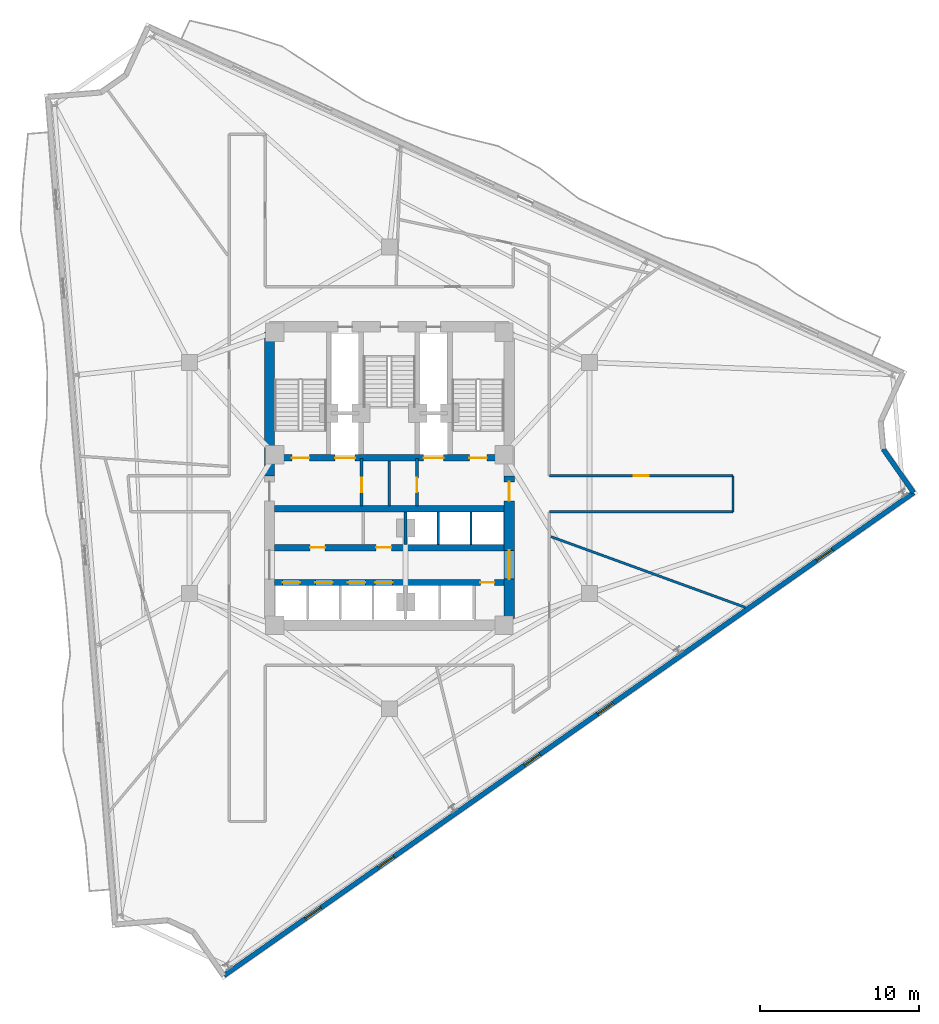
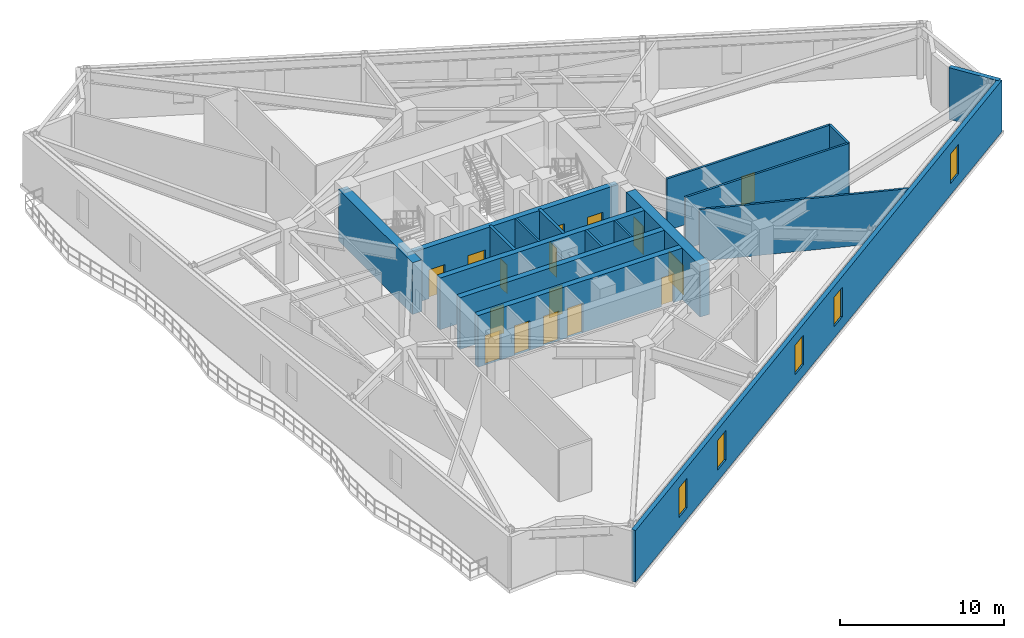
# One storey, part 5 of 10: 18 walls, 16 doors, 5 windows, 21 openings.
"""IFC4 building model written with IfcOpenShell, lengths in metres."""

from ifc_helpers import new_model, si_unit, direction, frame, frame_2d, origin, place, context, subcontext, project, spatial, rectangle, extrude, material, layer, layer_set, type_object, element, fill, save


model = new_model("IFC4")

# Units and contexts
model_context = context("Model", 3, precision=1e-05, world=origin(), true_north=direction((0.0, 1.0)))
body_context = subcontext(model_context, "Body", "Model", "MODEL_VIEW")
ifc_project = project(units=[si_unit("LENGTHUNIT", "METRE"), si_unit("AREAUNIT", "SQUARE_METRE"), si_unit("VOLUMEUNIT", "CUBIC_METRE"), si_unit("PLANEANGLEUNIT", "RADIAN"), si_unit("MASSUNIT", "GRAM", prefix="KILO")], contexts=[model_context])

# Site, building, storey
site_placement = place(None, origin())
site = spatial("IfcSite", under=ifc_project, at=site_placement, CompositionType="ELEMENT")
building_placement = place(site_placement, origin())
building = spatial("IfcBuilding", under=site, at=building_placement, Name="Apsidion Concourse Tower", CompositionType="ELEMENT")
storey_placement = place(building_placement, frame((0.0, 0.0, 202.39990234375)))
storey = spatial("IfcBuildingStorey", under=building, at=storey_placement, Name="L47", CompositionType="ELEMENT", Elevation=202.39990234375)

# Wall
ifc_material_1 = material(Name="Precast concrete C40/50", Category="concrete")
ifc_layer_1 = layer(ifc_material_1, 0.300048828125)
ifc_layer_set_1 = layer_set([ifc_layer_1], Name="Precast concrete C40/50")
wall_type_1 = type_object("IfcWallType", Name="WL-EXT-300", PredefinedType="STANDARD", material=ifc_layer_set_1)
wall_1_placement = place(storey_placement, frame((30.99951171875, 1.809814453125, 0.0), z_axis=(0.0, 0.0, 1.0), x_axis=(0.573550493689, -0.819170208925, 0.0)))
element("IfcWall", 1, at=wall_1_placement, inside=storey, type_object=wall_type_1, Name="L47 Precast Stone Facade Wall 04", PredefinedType="STANDARD", context=body_context, shape_type="SweptSolid", body=[
    extrude(rectangle(XDim=3.345703125, YDim=0.300048828125, at=frame_2d((1.6728515625, 0.0))), origin(), (0.0, 0.0, 1.0), 3.85009765625),
])

# Wall, openings, windows
wall_2_placement = place(storey_placement, frame((32.91845703125, -0.930908203125, 0.0), z_axis=(0.0, 0.0, 1.0), x_axis=(-0.819151415939, -0.573577333727, 0.0)))
wall_2 = element("IfcWall", 2, at=wall_2_placement, inside=storey, type_object=wall_type_1, Name="L47 Precast Stone Facade Wall 05", PredefinedType="STANDARD", context=body_context, shape_type="SweptSolid", body=[
    extrude(rectangle(XDim=52.862548828125, YDim=0.300048828125, at=frame_2d((26.43115234375, 0.0))), origin(), (0.0, 0.0, 1.0), 3.85009765625),
])
opening_1_placement = place(wall_2_placement, frame((6.231201171875, 0.0, 0.85009765625)))
opening_1 = element("IfcOpeningElement", 3, at=opening_1_placement, cuts=wall_2, Name="Opening WN-06", PredefinedType="OPENING", context=body_context, shape_type="SweptSolid", body=[
    extrude(rectangle(XDim=1.199951171875, YDim=2.199951171875, at=frame_2d((0.60009765625, 1.10009765625))), frame((0.0, 0.16015625, 0.0), z_axis=(0.0, -1.0, 0.0), x_axis=(1.0, 0.0, 0.0)), (0.0, 0.0, 1.0), 0.320068359375),
])
opening_2_placement = place(wall_2_placement, frame((23.03125, 0.0, 0.85009765625)))
opening_2 = element("IfcOpeningElement", 4, at=opening_2_placement, cuts=wall_2, Name="Opening WN-06", PredefinedType="OPENING", context=body_context, shape_type="SweptSolid", body=[
    extrude(rectangle(XDim=1.199951171875, YDim=2.199951171875, at=frame_2d((0.60009765625, 1.10009765625))), frame((0.0, 0.16015625, 0.0), z_axis=(0.0, -1.0, 0.0), x_axis=(1.0, 0.0, 0.0)), (0.0, 0.0, 1.0), 0.320068359375),
])
opening_3_placement = place(wall_2_placement, frame((28.63134765625, 0.0, 0.85009765625)))
opening_3 = element("IfcOpeningElement", 5, at=opening_3_placement, cuts=wall_2, Name="Opening WN-06", PredefinedType="OPENING", context=body_context, shape_type="SweptSolid", body=[
    extrude(rectangle(XDim=1.199951171875, YDim=2.199951171875, at=frame_2d((0.60009765625, 1.10009765625))), frame((0.0, 0.16015625, 0.0), z_axis=(0.0, -1.0, 0.0), x_axis=(1.0, 0.0, 0.0)), (0.0, 0.0, 1.0), 0.320068359375),
])
opening_4_placement = place(wall_2_placement, frame((39.831298828125, 0.0, 0.85009765625)))
opening_4 = element("IfcOpeningElement", 6, at=opening_4_placement, cuts=wall_2, Name="Opening WN-06", PredefinedType="OPENING", context=body_context, shape_type="SweptSolid", body=[
    extrude(rectangle(XDim=1.199951171875, YDim=2.199951171875, at=frame_2d((0.60009765625, 1.10009765625))), frame((0.0, 0.16015625, 0.0), z_axis=(0.0, -1.0, 0.0), x_axis=(1.0, 0.0, 0.0)), (0.0, 0.0, 1.0), 0.320068359375),
])
opening_5_placement = place(wall_2_placement, frame((45.431396484375, 0.0, 0.85009765625)))
opening_5 = element("IfcOpeningElement", 7, at=opening_5_placement, cuts=wall_2, Name="Opening WN-06", PredefinedType="OPENING", context=body_context, shape_type="SweptSolid", body=[
    extrude(rectangle(XDim=1.199951171875, YDim=2.199951171875, at=frame_2d((0.60009765625, 1.10009765625))), frame((0.0, 0.16015625, 0.0), z_axis=(0.0, -1.0, 0.0), x_axis=(1.0, 0.0, 0.0)), (0.0, 0.0, 1.0), 0.320068359375),
])
ifc_material_2 = material(Name="Insulated laminated low-E glass", Category="glass")
window_type = type_object("IfcWindowType", Name="WN-OFF-1224", PartitioningType="SINGLE_PANEL", PredefinedType="WINDOW", material=ifc_material_2)
window_1_placement = place(opening_1_placement, origin())
window_1 = element("IfcWindow", 8, at=window_1_placement, inside=storey, type_object=window_type, Name="L47 Punched Facade Window 5-01", OverallHeight=2.199951171875, OverallWidth=1.199951171875, PartitioningType="SINGLE_PANEL", PredefinedType="WINDOW", context=body_context, shape_type="SweptSolid", body=[
    extrude(rectangle(XDim=1.199951171875, YDim=2.199951171875, at=frame_2d((0.60009765625, 1.10009765625))), frame((0.0, 0.030029296875, 0.0), z_axis=(0.0, -1.0, 0.0), x_axis=(1.0, 0.0, 0.0)), (0.0, 0.0, 1.0), 0.06005859375),
])
fill(opening_1, window_1)
window_2_placement = place(opening_2_placement, origin())
window_2 = element("IfcWindow", 9, at=window_2_placement, inside=storey, type_object=window_type, Name="L47 Punched Facade Window 5-04", OverallHeight=2.199951171875, OverallWidth=1.199951171875, PartitioningType="SINGLE_PANEL", PredefinedType="WINDOW", context=body_context, shape_type="SweptSolid", body=[
    extrude(rectangle(XDim=1.199951171875, YDim=2.199951171875, at=frame_2d((0.60009765625, 1.10009765625))), frame((0.0, 0.030029296875, 0.0), z_axis=(0.0, -1.0, 0.0), x_axis=(1.0, 0.0, 0.0)), (0.0, 0.0, 1.0), 0.06005859375),
])
fill(opening_2, window_2)
window_3_placement = place(opening_3_placement, origin())
window_3 = element("IfcWindow", 10, at=window_3_placement, inside=storey, type_object=window_type, Name="L47 Punched Facade Window 5-05", OverallHeight=2.199951171875, OverallWidth=1.199951171875, PartitioningType="SINGLE_PANEL", PredefinedType="WINDOW", context=body_context, shape_type="SweptSolid", body=[
    extrude(rectangle(XDim=1.199951171875, YDim=2.199951171875, at=frame_2d((0.60009765625, 1.10009765625))), frame((0.0, 0.030029296875, 0.0), z_axis=(0.0, -1.0, 0.0), x_axis=(1.0, 0.0, 0.0)), (0.0, 0.0, 1.0), 0.06005859375),
])
fill(opening_3, window_3)
window_4_placement = place(opening_4_placement, origin())
window_4 = element("IfcWindow", 11, at=window_4_placement, inside=storey, type_object=window_type, Name="L47 Punched Facade Window 5-07", OverallHeight=2.199951171875, OverallWidth=1.199951171875, PartitioningType="SINGLE_PANEL", PredefinedType="WINDOW", context=body_context, shape_type="SweptSolid", body=[
    extrude(rectangle(XDim=1.199951171875, YDim=2.199951171875, at=frame_2d((0.60009765625, 1.10009765625))), frame((0.0, 0.030029296875, 0.0), z_axis=(0.0, -1.0, 0.0), x_axis=(1.0, 0.0, 0.0)), (0.0, 0.0, 1.0), 0.06005859375),
])
fill(opening_4, window_4)
window_5_placement = place(opening_5_placement, origin())
window_5 = element("IfcWindow", 12, at=window_5_placement, inside=storey, type_object=window_type, Name="L47 Punched Facade Window 5-08", OverallHeight=2.199951171875, OverallWidth=1.199951171875, PartitioningType="SINGLE_PANEL", PredefinedType="WINDOW", context=body_context, shape_type="SweptSolid", body=[
    extrude(rectangle(XDim=1.199951171875, YDim=2.199951171875, at=frame_2d((0.60009765625, 1.10009765625))), frame((0.0, 0.030029296875, 0.0), z_axis=(0.0, -1.0, 0.0), x_axis=(1.0, 0.0, 0.0)), (0.0, 0.0, 1.0), 0.06005859375),
])
fill(opening_5, window_5)

# Walls
ifc_material_3 = material(Name="Gypsum plasterboard partition")
ifc_layer_2 = layer(ifc_material_3, 0.14990234375)
ifc_layer_set_2 = layer_set([ifc_layer_2], Name="Gypsum plasterboard partition")
wall_type_2 = type_object("IfcWallType", Name="WL-INT-PAR-150", PredefinedType="PARTITIONING", material=ifc_layer_set_2)
for number, where, z_axis, x_axis, name in (
    (13, (3.074951171875, -4.179931640625, 0.0), (0.0, 0.0, 1.0), (0.0, 1.0, 0.0), "L47 Interior Partition WL-L47-B3DIV-1"),
    (14, (5.125, -4.179931640625, 0.0), (0.0, 0.0, 1.0), (0.0, 1.0, 0.0), "L47 Interior Partition WL-L47-B3DIV-2"),
):
    element("IfcWall", number, at=place(storey_placement, frame(where, z_axis=z_axis, x_axis=x_axis)), inside=storey, type_object=wall_type_2, Name=name, PredefinedType="PARTITIONING", context=body_context, shape_type="SweptSolid", body=[
        extrude(rectangle(XDim=2.030029296875, YDim=0.14990234375, at=frame_2d((1.01513671875, 0.0))), origin(), (0.0, 0.0, 1.0), 3.85009765625),
    ])
wall_3_placement = place(storey_placement, frame((0.0, -1.780029296875, 0.0), z_axis=(0.0, 0.0, 1.0), x_axis=(0.0, 1.0, 0.0)))
element("IfcWall", 15, at=wall_3_placement, inside=storey, type_object=wall_type_2, Name="L47 Interior Partition WL-L47-K3V", PredefinedType="PARTITIONING", context=body_context, shape_type="SweptSolid", body=[
    extrude(rectangle(XDim=2.830078125, YDim=0.14990234375, at=frame_2d((1.4150390625, 0.0))), origin(), (0.0, 0.0, 1.0), 3.85009765625),
])

# Wall, opening, door
wall_4_placement = place(storey_placement, frame((10.050048828125, 0.1298828125, 0.0), z_axis=(0.0, 0.0, 1.0), x_axis=(1.0, 0.0, 0.0)))
wall_4 = element("IfcWall", 16, at=wall_4_placement, inside=storey, type_object=wall_type_2, Name="L47 Interior Partition WL-L47-CORR-17", PredefinedType="PARTITIONING", context=body_context, shape_type="SweptSolid", body=[
    extrude(rectangle(XDim=11.530029296875, YDim=0.14990234375, at=frame_2d((5.76513671875, 0.0))), origin(), (0.0, 0.0, 1.0), 3.85009765625),
])
opening_6_placement = place(wall_4_placement, frame((5.2900390625, 0.0, 0.0)))
opening_6 = element("IfcOpeningElement", 17, at=opening_6_placement, cuts=wall_4, Name="Opening D-01R", PredefinedType="OPENING", context=body_context, shape_type="SweptSolid", body=[
    extrude(rectangle(XDim=0.949951171875, YDim=2.14990234375, at=frame_2d((0.47509765625, 1.074951171875))), frame((0.0, 0.0849609375, 0.0), z_axis=(0.0, -1.0, 0.0), x_axis=(1.0, 0.0, 0.0)), (0.0, 0.0, 1.0), 0.169921875),
])
ifc_material_4 = material(Name="Brushed stainless steel 316", Category="steel")
door_type_1 = type_object("IfcDoorType", Name="DR-INT-D01R", OperationType="SINGLE_SWING_RIGHT", PredefinedType="DOOR", material=ifc_material_4)
door_1_placement = place(opening_6_placement, origin())
door_1 = element("IfcDoor", 18, at=door_1_placement, inside=storey, type_object=door_type_1, Name="L47 Corridor Entry Door 04", OperationType="SINGLE_SWING_RIGHT", OverallHeight=2.14990234375, OverallWidth=0.949951171875, PredefinedType="DOOR", context=body_context, shape_type="SweptSolid", body=[
    extrude(rectangle(XDim=0.949951171875, YDim=2.14990234375, at=frame_2d((0.47509765625, 1.074951171875))), frame((0.0, 0.02490234375, 0.0), z_axis=(0.0, -1.0, 0.0), x_axis=(1.0, 0.0, 0.0)), (0.0, 0.0, 1.0), 0.050048828125),
])
fill(opening_6, door_1)

# Walls
wall_5_placement = place(storey_placement, frame((21.580078125, 0.1298828125, 0.0), z_axis=(0.0, 0.0, 1.0), x_axis=(0.0, -1.0, 0.0)))
element("IfcWall", 19, at=wall_5_placement, inside=storey, type_object=wall_type_2, Name="L47 Interior Partition WL-L47-CORR-18", PredefinedType="PARTITIONING", context=body_context, shape_type="SweptSolid", body=[
    extrude(rectangle(XDim=2.259765625, YDim=0.14990234375, at=frame_2d((1.1298828125, 0.0))), origin(), (0.0, 0.0, 1.0), 3.85009765625),
])
wall_6_placement = place(storey_placement, frame((21.580078125, -2.1298828125, 0.0), z_axis=(0.0, 0.0, 1.0), x_axis=(-1.0, 0.0, 0.0)))
element("IfcWall", 20, at=wall_6_placement, inside=storey, type_object=wall_type_2, Name="L47 Interior Partition WL-L47-CORR-19", PredefinedType="PARTITIONING", context=body_context, shape_type="SweptSolid", body=[
    extrude(rectangle(XDim=11.530029296875, YDim=0.14990234375, at=frame_2d((5.76513671875, 0.0))), origin(), (0.0, 0.0, 1.0), 3.85009765625),
])
wall_7_placement = place(storey_placement, frame((10.155029296875, -3.696044921875, 0.0), z_axis=(0.0, 0.0, 1.0), x_axis=(0.939688978096, -0.342030151367, 0.0)))
element("IfcWall", 21, at=wall_7_placement, inside=storey, type_object=wall_type_2, Name="L47 Interior Partition WL-L47-RAD-07-1", PredefinedType="PARTITIONING", context=body_context, shape_type="SweptSolid", body=[
    extrude(rectangle(XDim=12.97265625, YDim=0.14990234375, at=frame_2d((6.486328125, 0.0))), origin(), (0.0, 0.0, 1.0), 3.85009765625),
])
ifc_layer_3 = layer(ifc_material_3, 0.179931640625)
ifc_layer_set_3 = layer_set([ifc_layer_3], Name="Gypsum plasterboard partition")
wall_type_3 = type_object("IfcWallType", Name="WL-INT-PAR-180", PredefinedType="PARTITIONING", material=ifc_layer_set_3)
wall_8_placement = place(storey_placement, frame((1.02490234375, -4.179931640625, 0.0), z_axis=(0.0, 0.0, 1.0), x_axis=(0.0, 1.0, 0.0)))
element("IfcWall", 22, at=wall_8_placement, inside=storey, type_object=wall_type_3, Name="L47 Interior Partition WL-L47-B1END", PredefinedType="PARTITIONING", context=body_context, shape_type="SweptSolid", body=[
    extrude(rectangle(XDim=2.030029296875, YDim=0.179931640625, at=frame_2d((1.01513671875, 0.0))), origin(), (0.0, 0.0, 1.0), 2.898193359375),
])

# Wall, opening, door
ifc_layer_4 = layer(ifc_material_3, 0.199951171875)
ifc_layer_set_4 = layer_set([ifc_layer_4], Name="Gypsum plasterboard partition")
wall_type_4 = type_object("IfcWallType", Name="WL-INT-PAR-200", PredefinedType="PARTITIONING", material=ifc_layer_set_4)
wall_9_placement = place(storey_placement, frame((-1.739990234375, -1.780029296875, 0.0), z_axis=(0.0, 0.0, 1.0), x_axis=(0.0, 1.0, 0.0)))
wall_9 = element("IfcWall", 23, at=wall_9_placement, inside=storey, type_object=wall_type_4, Name="L47 Interior Partition WL-L47-FF1-E", PredefinedType="PARTITIONING", context=body_context, shape_type="SweptSolid", body=[
    extrude(rectangle(XDim=2.97998046875, YDim=0.199951171875, at=frame_2d((1.489990234375, 0.0))), origin(), (0.0, 0.0, 1.0), 3.85009765625),
])
opening_7_placement = place(wall_9_placement, frame((0.889892578125, 0.0, 0.0)))
opening_7 = element("IfcOpeningElement", 24, at=opening_7_placement, cuts=wall_9, Name="Opening D-05R", PredefinedType="OPENING", context=body_context, shape_type="SweptSolid", body=[
    extrude(rectangle(XDim=0.8798828125, YDim=2.14990234375, at=frame_2d((0.43994140625, 1.074951171875))), frame((0.0, 0.10986328125, 0.0), z_axis=(0.0, -1.0, 0.0), x_axis=(1.0, 0.0, 0.0)), (0.0, 0.0, 1.0), 0.219970703125),
])
door_type_2 = type_object("IfcDoorType", Name="DR-INT-D05R", OperationType="SINGLE_SWING_RIGHT", PredefinedType="DOOR", material=ifc_material_4)
door_2_placement = place(opening_7_placement, origin())
door_2 = element("IfcDoor", 25, at=door_2_placement, inside=storey, type_object=door_type_2, Name="L47 Core Pantry Door", OperationType="SINGLE_SWING_RIGHT", OverallHeight=2.14990234375, OverallWidth=0.8798828125, PredefinedType="DOOR", context=body_context, shape_type="SweptSolid", body=[
    extrude(rectangle(XDim=0.8798828125, YDim=2.14990234375, at=frame_2d((0.43994140625, 1.074951171875))), frame((0.0, 0.02490234375, 0.0), z_axis=(0.0, -1.0, 0.0), x_axis=(1.0, 0.0, 0.0)), (0.0, 0.0, 1.0), 0.050048828125),
])
fill(opening_7, door_2)

wall_10_placement = place(storey_placement, frame((1.739990234375, -1.780029296875, 0.0), z_axis=(0.0, 0.0, 1.0), x_axis=(0.0, 1.0, 0.0)))
wall_10 = element("IfcWall", 26, at=wall_10_placement, inside=storey, type_object=wall_type_4, Name="L47 Interior Partition WL-L47-FF2-W", PredefinedType="PARTITIONING", context=body_context, shape_type="SweptSolid", body=[
    extrude(rectangle(XDim=2.97998046875, YDim=0.199951171875, at=frame_2d((1.489990234375, 0.0))), origin(), (0.0, 0.0, 1.0), 3.85009765625),
])
opening_8_placement = place(wall_10_placement, frame((0.889892578125, 0.0, 0.0)))
opening_8 = element("IfcOpeningElement", 27, at=opening_8_placement, cuts=wall_10, Name="Opening D-05L", PredefinedType="OPENING", context=body_context, shape_type="SweptSolid", body=[
    extrude(rectangle(XDim=0.8798828125, YDim=2.14990234375, at=frame_2d((0.43994140625, 1.074951171875))), frame((0.0, 0.10986328125, 0.0), z_axis=(0.0, -1.0, 0.0), x_axis=(1.0, 0.0, 0.0)), (0.0, 0.0, 1.0), 0.219970703125),
])
door_type_3 = type_object("IfcDoorType", Name="DR-INT-D05L", OperationType="SINGLE_SWING_LEFT", PredefinedType="DOOR", material=ifc_material_4)
door_3_placement = place(opening_8_placement, origin())
door_3 = element("IfcDoor", 28, at=door_3_placement, inside=storey, type_object=door_type_3, Name="L47 Core Electrical Door", OperationType="SINGLE_SWING_LEFT", OverallHeight=2.14990234375, OverallWidth=0.8798828125, PredefinedType="DOOR", context=body_context, shape_type="SweptSolid", body=[
    extrude(rectangle(XDim=0.8798828125, YDim=2.14990234375, at=frame_2d((0.43994140625, 1.074951171875))), frame((0.0, 0.02490234375, 0.0), z_axis=(0.0, -1.0, 0.0), x_axis=(1.0, 0.0, 0.0)), (0.0, 0.0, 1.0), 0.050048828125),
])
fill(opening_8, door_3)

# Wall, openings, doors
ifc_material_5 = material(Name="Concrete C50/60", Category="concrete")
ifc_layer_5 = layer(ifc_material_5, 0.39990234375)
ifc_layer_set_5 = layer_set([ifc_layer_5], Name="Concrete C50/60")
wall_type_5 = type_object("IfcWallType", Name="WL-SH-400", PredefinedType="SHEAR", material=ifc_layer_set_5)
wall_11_placement = place(storey_placement, frame((-7.199951171875, 1.25, 0.0), z_axis=(0.0, 0.0, 1.0), x_axis=(1.0, 0.0, 0.0)))
wall_11 = element("IfcWall", 29, at=wall_11_placement, inside=storey, type_object=wall_type_5, Name="L47 Central Core Shear Wall M1", PredefinedType="SHEAR", context=body_context, shape_type="SweptSolid", body=[
    extrude(rectangle(XDim=14.39990234375, YDim=0.39990234375, at=frame_2d((7.199951171875, 0.0))), origin(), (0.0, 0.0, 1.0), 3.85009765625),
])
opening_9_placement = place(wall_11_placement, frame((3.794921875, 0.0, 0.0)))
opening_9 = element("IfcOpeningElement", 30, at=opening_9_placement, cuts=wall_11, Name="Opening LD-FF", PredefinedType="OPENING", context=body_context, shape_type="SweptSolid", body=[
    extrude(rectangle(XDim=1.25, YDim=2.25, at=frame_2d((0.625, 1.125))), frame((0.0, 0.2099609375, 0.0), z_axis=(0.0, -1.0, 0.0), x_axis=(1.0, 0.0, 0.0)), (0.0, 0.0, 1.0), 0.419921875),
])
opening_10_placement = place(wall_11_placement, frame((9.35498046875, 0.0, 0.0)))
opening_10 = element("IfcOpeningElement", 31, at=opening_10_placement, cuts=wall_11, Name="Opening LD-FF", PredefinedType="OPENING", context=body_context, shape_type="SweptSolid", body=[
    extrude(rectangle(XDim=1.25, YDim=2.25, at=frame_2d((0.625, 1.125))), frame((0.0, 0.2099609375, 0.0), z_axis=(0.0, -1.0, 0.0), x_axis=(1.0, 0.0, 0.0)), (0.0, 0.0, 1.0), 0.419921875),
])
opening_11_placement = place(wall_11_placement, frame((1.074951171875, 0.0, 0.0)))
opening_11 = element("IfcOpeningElement", 32, at=opening_11_placement, cuts=wall_11, Name="Opening D-STL", PredefinedType="OPENING", context=body_context, shape_type="SweptSolid", body=[
    extrude(rectangle(XDim=1.10009765625, YDim=2.14990234375, at=frame_2d((0.550048828125, 1.074951171875))), frame((0.0, 0.2099609375, 0.0), z_axis=(0.0, -1.0, 0.0), x_axis=(1.0, 0.0, 0.0)), (0.0, 0.0, 1.0), 0.419921875),
])
opening_12_placement = place(wall_11_placement, frame((12.22509765625, 0.0, 0.0)))
opening_12 = element("IfcOpeningElement", 33, at=opening_12_placement, cuts=wall_11, Name="Opening D-STR", PredefinedType="OPENING", context=body_context, shape_type="SweptSolid", body=[
    extrude(rectangle(XDim=1.10009765625, YDim=2.14990234375, at=frame_2d((0.550048828125, 1.074951171875))), frame((0.0, 0.2099609375, 0.0), z_axis=(0.0, -1.0, 0.0), x_axis=(1.0, 0.0, 0.0)), (0.0, 0.0, 1.0), 0.419921875),
])
door_type_4 = type_object("IfcDoorType", Name="DR-INT-ST1L", OperationType="SINGLE_SWING_LEFT", PredefinedType="DOOR", material=ifc_material_4)
door_4_placement = place(opening_11_placement, origin())
door_4 = element("IfcDoor", 34, at=door_4_placement, inside=storey, type_object=door_type_4, Name="L47 Core Exit Stair ST1 Door", OperationType="SINGLE_SWING_LEFT", OverallHeight=2.14990234375, OverallWidth=1.10009765625, PredefinedType="DOOR", context=body_context, shape_type="SweptSolid", body=[
    extrude(rectangle(XDim=1.10009765625, YDim=2.14990234375, at=frame_2d((0.550048828125, 1.074951171875))), frame((0.0, 0.02490234375, 0.0), z_axis=(0.0, -1.0, 0.0), x_axis=(1.0, 0.0, 0.0)), (0.0, 0.0, 1.0), 0.050048828125),
])
fill(opening_11, door_4)
door_type_5 = type_object("IfcDoorType", Name="DR-INT-ST1R", OperationType="SINGLE_SWING_RIGHT", PredefinedType="DOOR", material=ifc_material_4)
door_5_placement = place(opening_12_placement, origin())
door_5 = element("IfcDoor", 35, at=door_5_placement, inside=storey, type_object=door_type_5, Name="L47 Core Exit Stair ST2 Door", OperationType="SINGLE_SWING_RIGHT", OverallHeight=2.14990234375, OverallWidth=1.10009765625, PredefinedType="DOOR", context=body_context, shape_type="SweptSolid", body=[
    extrude(rectangle(XDim=1.10009765625, YDim=2.14990234375, at=frame_2d((0.550048828125, 1.074951171875))), frame((0.0, 0.02490234375, 0.0), z_axis=(0.0, -1.0, 0.0), x_axis=(1.0, 0.0, 0.0)), (0.0, 0.0, 1.0), 0.050048828125),
])
fill(opening_12, door_5)
door_type_6 = type_object("IfcDoorType", Name="DR-LD-FSAE", OperationType="DOUBLE_DOOR_SLIDING", PredefinedType="DOOR", material=ifc_material_4)
door_6_placement = place(opening_9_placement, origin())
door_6 = element("IfcDoor", 36, at=door_6_placement, inside=storey, type_object=door_type_6, Name="L47 Lift Landing Door FF1", OperationType="DOUBLE_DOOR_SLIDING", OverallHeight=2.25, OverallWidth=1.25, PredefinedType="DOOR", context=body_context, shape_type="SweptSolid", body=[
    extrude(rectangle(XDim=1.25, YDim=2.25, at=frame_2d((0.625, 1.125))), frame((0.0, 0.02490234375, 0.0), z_axis=(0.0, -1.0, 0.0), x_axis=(1.0, 0.0, 0.0)), (0.0, 0.0, 1.0), 0.050048828125),
])
fill(opening_9, door_6)
door_7_placement = place(opening_10_placement, origin())
door_7 = element("IfcDoor", 37, at=door_7_placement, inside=storey, type_object=door_type_6, Name="L47 Lift Landing Door FF2", OperationType="DOUBLE_DOOR_SLIDING", OverallHeight=2.25, OverallWidth=1.25, PredefinedType="DOOR", context=body_context, shape_type="SweptSolid", body=[
    extrude(rectangle(XDim=1.25, YDim=2.25, at=frame_2d((0.625, 1.125))), frame((0.0, 0.02490234375, 0.0), z_axis=(0.0, -1.0, 0.0), x_axis=(1.0, 0.0, 0.0)), (0.0, 0.0, 1.0), 0.050048828125),
])
fill(opening_10, door_7)

# Wall
wall_12_placement = place(storey_placement, frame((-7.199951171875, -1.949951171875, 0.0), z_axis=(0.0, 0.0, 1.0), x_axis=(1.0, 0.0, 0.0)))
element("IfcWall", 38, at=wall_12_placement, inside=storey, type_object=wall_type_5, Name="L47 Central Core Shear Wall M2", PredefinedType="SHEAR", context=body_context, shape_type="SweptSolid", body=[
    extrude(rectangle(XDim=14.39990234375, YDim=0.39990234375, at=frame_2d((7.199951171875, 0.0))), origin(), (0.0, 0.0, 1.0), 3.85009765625),
])

# Wall, openings, doors
wall_13_placement = place(storey_placement, frame((-7.199951171875, -4.3798828125, 0.0), z_axis=(0.0, 0.0, 1.0), x_axis=(1.0, 0.0, 0.0)))
wall_13 = element("IfcWall", 39, at=wall_13_placement, inside=storey, type_object=wall_type_5, Name="L47 Central Core Shear Wall LA", PredefinedType="SHEAR", context=body_context, shape_type="SweptSolid", body=[
    extrude(rectangle(XDim=14.39990234375, YDim=0.39990234375, at=frame_2d((7.199951171875, 0.0))), origin(), (0.0, 0.0, 1.0), 3.85009765625),
])
opening_13_placement = place(wall_13_placement, frame((2.22509765625, 0.0, 0.0)))
opening_13 = element("IfcOpeningElement", 40, at=opening_13_placement, cuts=wall_13, Name="Opening D-04L", PredefinedType="OPENING", context=body_context, shape_type="SweptSolid", body=[
    extrude(rectangle(XDim=0.949951171875, YDim=2.14990234375, at=frame_2d((0.47509765625, 1.074951171875))), frame((0.0, 0.2099609375, 0.0), z_axis=(0.0, -1.0, 0.0), x_axis=(1.0, 0.0, 0.0)), (0.0, 0.0, 1.0), 0.419921875),
])
opening_14_placement = place(wall_13_placement, frame((6.375, 0.0, 0.0)))
opening_14 = element("IfcOpeningElement", 41, at=opening_14_placement, cuts=wall_13, Name="Opening D-04R", PredefinedType="OPENING", context=body_context, shape_type="SweptSolid", body=[
    extrude(rectangle(XDim=0.949951171875, YDim=2.14990234375, at=frame_2d((0.47509765625, 1.074951171875))), frame((0.0, 0.2099609375, 0.0), z_axis=(0.0, -1.0, 0.0), x_axis=(1.0, 0.0, 0.0)), (0.0, 0.0, 1.0), 0.419921875),
])
door_type_7 = type_object("IfcDoorType", Name="DR-INT-D04L", OperationType="SINGLE_SWING_LEFT", PredefinedType="DOOR", material=ifc_material_4)
door_8_placement = place(opening_13_placement, origin())
door_8 = element("IfcDoor", 42, at=door_8_placement, inside=storey, type_object=door_type_7, Name="L47 Tenant Records Archive Room Door", OperationType="SINGLE_SWING_LEFT", OverallHeight=2.14990234375, OverallWidth=0.949951171875, PredefinedType="DOOR", context=body_context, shape_type="SweptSolid", body=[
    extrude(rectangle(XDim=0.949951171875, YDim=2.14990234375, at=frame_2d((0.47509765625, 1.074951171875))), frame((0.0, 0.02490234375, 0.0), z_axis=(0.0, -1.0, 0.0), x_axis=(1.0, 0.0, 0.0)), (0.0, 0.0, 1.0), 0.050048828125),
])
fill(opening_13, door_8)
door_type_8 = type_object("IfcDoorType", Name="DR-INT-D04R", OperationType="SINGLE_SWING_RIGHT", PredefinedType="DOOR", material=ifc_material_4)
door_9_placement = place(opening_14_placement, origin())
door_9 = element("IfcDoor", 43, at=door_9_placement, inside=storey, type_object=door_type_8, Name="L47 Core Beverage Pantry Door", OperationType="SINGLE_SWING_RIGHT", OverallHeight=2.14990234375, OverallWidth=0.949951171875, PredefinedType="DOOR", context=body_context, shape_type="SweptSolid", body=[
    extrude(rectangle(XDim=0.949951171875, YDim=2.14990234375, at=frame_2d((0.47509765625, 1.074951171875))), frame((0.0, 0.02490234375, 0.0), z_axis=(0.0, -1.0, 0.0), x_axis=(1.0, 0.0, 0.0)), (0.0, 0.0, 1.0), 0.050048828125),
])
fill(opening_14, door_9)

wall_14_placement = place(storey_placement, frame((-7.199951171875, -6.570068359375, 0.0), z_axis=(0.0, 0.0, 1.0), x_axis=(1.0, 0.0, 0.0)))
wall_14 = element("IfcWall", 44, at=wall_14_placement, inside=storey, type_object=wall_type_5, Name="L47 Central Core Shear Wall LB", PredefinedType="SHEAR", context=body_context, shape_type="SweptSolid", body=[
    extrude(rectangle(XDim=14.39990234375, YDim=0.39990234375, at=frame_2d((7.199951171875, 0.0))), origin(), (0.0, 0.0, 1.0), 3.85009765625),
])
opening_15_placement = place(wall_14_placement, frame((0.5, 0.0, 0.0)))
opening_15 = element("IfcOpeningElement", 45, at=opening_15_placement, cuts=wall_14, Name="Opening LD-P1", PredefinedType="OPENING", context=body_context, shape_type="SweptSolid", body=[
    extrude(rectangle(XDim=1.10009765625, YDim=2.199951171875, at=frame_2d((0.550048828125, 1.10009765625))), frame((0.0, 0.2099609375, 0.0), z_axis=(0.0, -1.0, 0.0), x_axis=(1.0, 0.0, 0.0)), (0.0, 0.0, 1.0), 0.419921875),
])
opening_16_placement = place(wall_14_placement, frame((2.550048828125, 0.0, 0.0)))
opening_16 = element("IfcOpeningElement", 46, at=opening_16_placement, cuts=wall_14, Name="Opening LD-P1", PredefinedType="OPENING", context=body_context, shape_type="SweptSolid", body=[
    extrude(rectangle(XDim=1.10009765625, YDim=2.199951171875, at=frame_2d((0.550048828125, 1.10009765625))), frame((0.0, 0.2099609375, 0.0), z_axis=(0.0, -1.0, 0.0), x_axis=(1.0, 0.0, 0.0)), (0.0, 0.0, 1.0), 0.419921875),
])
opening_17_placement = place(wall_14_placement, frame((4.60009765625, 0.0, 0.0)))
opening_17 = element("IfcOpeningElement", 47, at=opening_17_placement, cuts=wall_14, Name="Opening LD-P1", PredefinedType="OPENING", context=body_context, shape_type="SweptSolid", body=[
    extrude(rectangle(XDim=1.10009765625, YDim=2.199951171875, at=frame_2d((0.550048828125, 1.10009765625))), frame((0.0, 0.2099609375, 0.0), z_axis=(0.0, -1.0, 0.0), x_axis=(1.0, 0.0, 0.0)), (0.0, 0.0, 1.0), 0.419921875),
])
opening_18_placement = place(wall_14_placement, frame((6.300048828125, 0.0, 0.0)))
opening_18 = element("IfcOpeningElement", 48, at=opening_18_placement, cuts=wall_14, Name="Opening LD-P1", PredefinedType="OPENING", context=body_context, shape_type="SweptSolid", body=[
    extrude(rectangle(XDim=1.10009765625, YDim=2.199951171875, at=frame_2d((0.550048828125, 1.10009765625))), frame((0.0, 0.2099609375, 0.0), z_axis=(0.0, -1.0, 0.0), x_axis=(1.0, 0.0, 0.0)), (0.0, 0.0, 1.0), 0.419921875),
])
opening_19_placement = place(wall_14_placement, frame((12.909912109375, 0.0, 0.0)))
opening_19 = element("IfcOpeningElement", 49, at=opening_19_placement, cuts=wall_14, Name="Opening D-05L", PredefinedType="OPENING", context=body_context, shape_type="SweptSolid", body=[
    extrude(rectangle(XDim=0.8798828125, YDim=2.14990234375, at=frame_2d((0.43994140625, 1.074951171875))), frame((0.0, 0.2099609375, 0.0), z_axis=(0.0, -1.0, 0.0), x_axis=(1.0, 0.0, 0.0)), (0.0, 0.0, 1.0), 0.419921875),
])
door_10_placement = place(opening_19_placement, origin())
door_10 = element("IfcDoor", 50, at=door_10_placement, inside=storey, type_object=door_type_3, Name="L47 Cleaners Store Door", OperationType="SINGLE_SWING_LEFT", OverallHeight=2.14990234375, OverallWidth=0.8798828125, PredefinedType="DOOR", context=body_context, shape_type="SweptSolid", body=[
    extrude(rectangle(XDim=0.8798828125, YDim=2.14990234375, at=frame_2d((0.43994140625, 1.074951171875))), frame((0.0, 0.02490234375, 0.0), z_axis=(0.0, -1.0, 0.0), x_axis=(1.0, 0.0, 0.0)), (0.0, 0.0, 1.0), 0.050048828125),
])
fill(opening_19, door_10)
door_type_9 = type_object("IfcDoorType", Name="DR-LD-PASS", OperationType="DOUBLE_DOOR_SLIDING", PredefinedType="DOOR", material=ifc_material_4)
door_11_placement = place(opening_15_placement, origin())
door_11 = element("IfcDoor", 51, at=door_11_placement, inside=storey, type_object=door_type_9, Name="L47 Lift Landing Door P5", OperationType="DOUBLE_DOOR_SLIDING", OverallHeight=2.199951171875, OverallWidth=1.10009765625, PredefinedType="DOOR", context=body_context, shape_type="SweptSolid", body=[
    extrude(rectangle(XDim=1.10009765625, YDim=2.199951171875, at=frame_2d((0.550048828125, 1.10009765625))), frame((0.0, 0.02490234375, 0.0), z_axis=(0.0, -1.0, 0.0), x_axis=(1.0, 0.0, 0.0)), (0.0, 0.0, 1.0), 0.050048828125),
])
fill(opening_15, door_11)
door_12_placement = place(opening_16_placement, origin())
door_12 = element("IfcDoor", 52, at=door_12_placement, inside=storey, type_object=door_type_9, Name="L47 Lift Landing Door P6", OperationType="DOUBLE_DOOR_SLIDING", OverallHeight=2.199951171875, OverallWidth=1.10009765625, PredefinedType="DOOR", context=body_context, shape_type="SweptSolid", body=[
    extrude(rectangle(XDim=1.10009765625, YDim=2.199951171875, at=frame_2d((0.550048828125, 1.10009765625))), frame((0.0, 0.02490234375, 0.0), z_axis=(0.0, -1.0, 0.0), x_axis=(1.0, 0.0, 0.0)), (0.0, 0.0, 1.0), 0.050048828125),
])
fill(opening_16, door_12)
door_13_placement = place(opening_17_placement, origin())
door_13 = element("IfcDoor", 53, at=door_13_placement, inside=storey, type_object=door_type_9, Name="L47 Lift Landing Door P7", OperationType="DOUBLE_DOOR_SLIDING", OverallHeight=2.199951171875, OverallWidth=1.10009765625, PredefinedType="DOOR", context=body_context, shape_type="SweptSolid", body=[
    extrude(rectangle(XDim=1.10009765625, YDim=2.199951171875, at=frame_2d((0.550048828125, 1.10009765625))), frame((0.0, 0.02490234375, 0.0), z_axis=(0.0, -1.0, 0.0), x_axis=(1.0, 0.0, 0.0)), (0.0, 0.0, 1.0), 0.050048828125),
])
fill(opening_17, door_13)
door_14_placement = place(opening_18_placement, origin())
door_14 = element("IfcDoor", 54, at=door_14_placement, inside=storey, type_object=door_type_9, Name="L47 Lift Landing Door P8", OperationType="DOUBLE_DOOR_SLIDING", OverallHeight=2.199951171875, OverallWidth=1.10009765625, PredefinedType="DOOR", context=body_context, shape_type="SweptSolid", body=[
    extrude(rectangle(XDim=1.10009765625, YDim=2.199951171875, at=frame_2d((0.550048828125, 1.10009765625))), frame((0.0, 0.02490234375, 0.0), z_axis=(0.0, -1.0, 0.0), x_axis=(1.0, 0.0, 0.0)), (0.0, 0.0, 1.0), 0.050048828125),
])
fill(opening_18, door_14)

# Wall
ifc_layer_6 = layer(ifc_material_5, 0.64990234375)
ifc_layer_set_6 = layer_set([ifc_layer_6], Name="Concrete C50/60")
wall_type_6 = type_object("IfcWallType", Name="WL-SH-650", PredefinedType="SHEAR", material=ifc_layer_set_6)
wall_15_placement = place(storey_placement, frame((-7.52490234375, 0.10009765625, 0.0), z_axis=(0.0, 0.0, 1.0), x_axis=(0.0, 1.0, 0.0)))
element("IfcWall", 55, at=wall_15_placement, inside=storey, type_object=wall_type_6, Name="L47 Central Core Shear Wall WN", PredefinedType="SHEAR", context=body_context, shape_type="SweptSolid", body=[
    extrude(rectangle(XDim=9.0498046875, YDim=0.64990234375, at=frame_2d((4.52490234375, 0.0))), origin(), (0.0, 0.0, 1.0), 3.85009765625),
])

# Wall, openings, doors
wall_16_placement = place(storey_placement, frame((7.52490234375, -8.925048828125, 0.0), z_axis=(0.0, 0.0, 1.0), x_axis=(0.0, 1.0, 0.0)))
wall_16 = element("IfcWall", 56, at=wall_16_placement, inside=storey, type_object=wall_type_6, Name="L47 Central Core Shear Wall ES", PredefinedType="SHEAR", context=body_context, shape_type="SweptSolid", body=[
    extrude(rectangle(XDim=9.025146484375, YDim=0.64990234375, at=frame_2d((4.5126953125, 0.0))), origin(), (0.0, 0.0, 1.0), 3.85009765625),
])
opening_20_placement = place(wall_16_placement, frame((2.56494140625, 0.0, 0.0)))
opening_20 = element("IfcOpeningElement", 57, at=opening_20_placement, cuts=wall_16, Name="Opening D-06D", PredefinedType="OPENING", context=body_context, shape_type="SweptSolid", body=[
    extrude(rectangle(XDim=1.800048828125, YDim=2.199951171875, at=frame_2d((0.89990234375, 1.10009765625))), frame((0.0, 0.3349609375, 0.0), z_axis=(0.0, -1.0, 0.0), x_axis=(1.0, 0.0, 0.0)), (0.0, 0.0, 1.0), 0.669921875),
])
opening_21_placement = place(wall_16_placement, frame((7.47509765625, 0.0, 0.0)))
opening_21 = element("IfcOpeningElement", 58, at=opening_21_placement, cuts=wall_16, Name="Opening D-FFR", PredefinedType="OPENING", context=body_context, shape_type="SweptSolid", body=[
    extrude(rectangle(XDim=1.199951171875, YDim=2.14990234375, at=frame_2d((0.60009765625, 1.074951171875))), frame((0.0, 0.3349609375, 0.0), z_axis=(0.0, -1.0, 0.0), x_axis=(1.0, 0.0, 0.0)), (0.0, 0.0, 1.0), 0.669921875),
])
door_type_10 = type_object("IfcDoorType", Name="DR-INT-D06D", OperationType="DOUBLE_DOOR_SINGLE_SWING", PredefinedType="DOOR", material=ifc_material_4)
door_15_placement = place(opening_20_placement, origin())
door_15 = element("IfcDoor", 59, at=door_15_placement, inside=storey, type_object=door_type_10, Name="L47 Passenger Lift Lobby ES Portal Door", OperationType="DOUBLE_DOOR_SINGLE_SWING", OverallHeight=2.199951171875, OverallWidth=1.800048828125, PredefinedType="DOOR", context=body_context, shape_type="SweptSolid", body=[
    extrude(rectangle(XDim=1.800048828125, YDim=2.199951171875, at=frame_2d((0.89990234375, 1.10009765625))), frame((0.0, 0.02490234375, 0.0), z_axis=(0.0, -1.0, 0.0), x_axis=(1.0, 0.0, 0.0)), (0.0, 0.0, 1.0), 0.050048828125),
])
fill(opening_20, door_15)
door_type_11 = type_object("IfcDoorType", Name="DR-INT-FFR", OperationType="SINGLE_SWING_RIGHT", PredefinedType="DOOR", material=ifc_material_4)
door_16_placement = place(opening_21_placement, origin())
door_16 = element("IfcDoor", 60, at=door_16_placement, inside=storey, type_object=door_type_11, Name="L47 Firefighting Lift Lobby FF2 Door", OperationType="SINGLE_SWING_RIGHT", OverallHeight=2.14990234375, OverallWidth=1.199951171875, PredefinedType="DOOR", context=body_context, shape_type="SweptSolid", body=[
    extrude(rectangle(XDim=1.199951171875, YDim=2.14990234375, at=frame_2d((0.60009765625, 1.074951171875))), frame((0.0, 0.02490234375, 0.0), z_axis=(0.0, -1.0, 0.0), x_axis=(1.0, 0.0, 0.0)), (0.0, 0.0, 1.0), 0.050048828125),
])
fill(opening_21, door_16)

save(model, "model.ifc")
